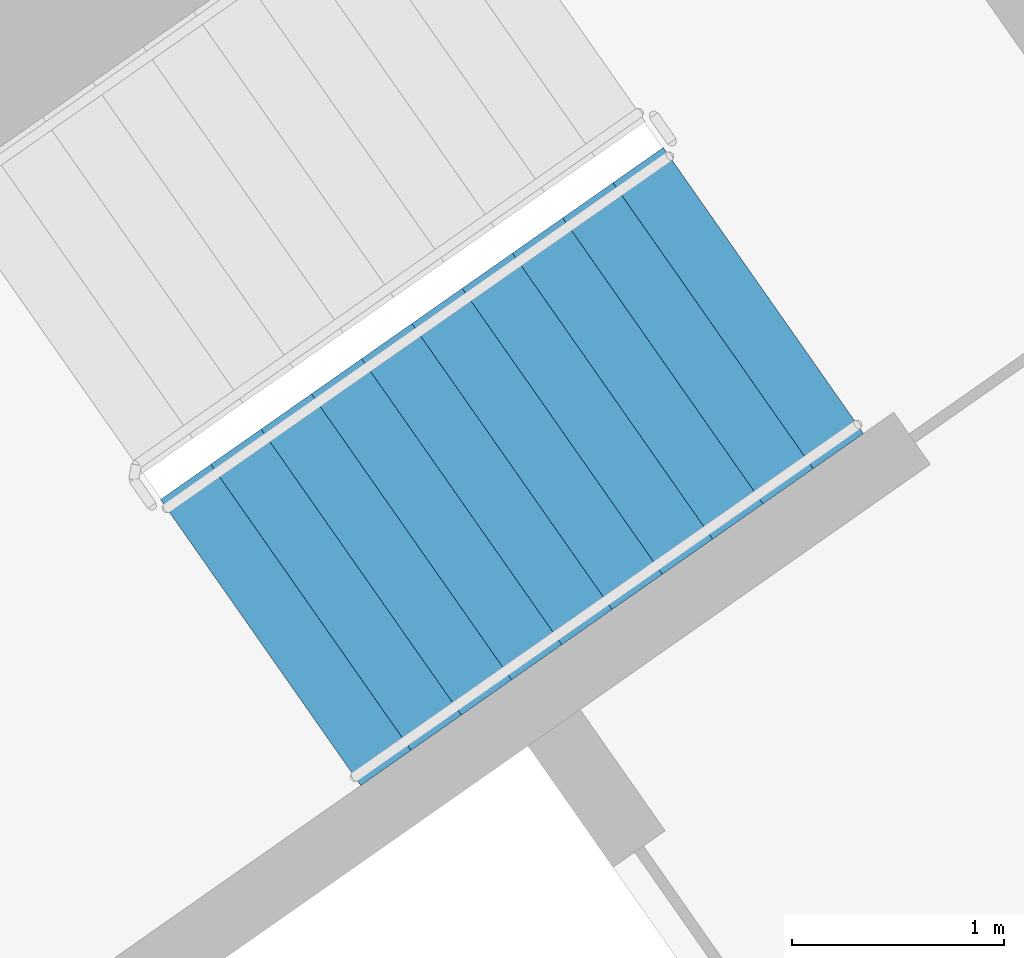
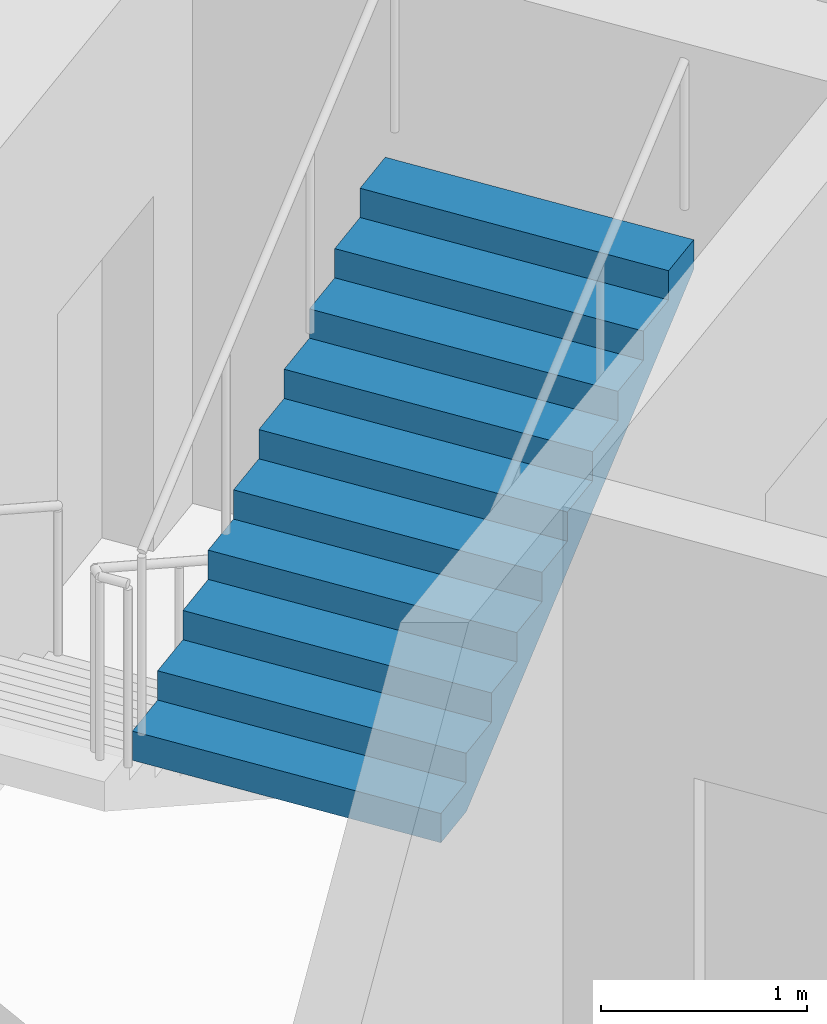
# One storey, part 16 of 28: 1 stair flight, 1 element without a shape of its own.
"""IFC4 building model written with IfcOpenShell, lengths in metres."""

from ifc_helpers import new_model, si_unit, direction, frame, origin, place, context, subcontext, project, spatial, faceted_brep, material, type_object, element, aggregate, save


model = new_model("IFC4")

# Units and contexts
model_context = context("Model", 3, precision=1e-05, world=origin(), true_north=direction((0.0, 1.0)))
body_context = subcontext(model_context, "Body", "Model", "MODEL_VIEW")
ifc_project = project(units=[si_unit("LENGTHUNIT", "METRE"), si_unit("AREAUNIT", "SQUARE_METRE"), si_unit("VOLUMEUNIT", "CUBIC_METRE"), si_unit("PLANEANGLEUNIT", "RADIAN"), si_unit("MASSUNIT", "GRAM", prefix="KILO")], contexts=[model_context])

# Site, building, storey
site_placement = place(None, origin())
site = spatial("IfcSite", under=ifc_project, at=site_placement, CompositionType="ELEMENT")
building_placement = place(site_placement, origin())
building = spatial("IfcBuilding", under=site, at=building_placement, Name="Qamariyya Broadcast Tower", CompositionType="ELEMENT")
storey_placement = place(building_placement, frame((0.0, 0.0, 218.89990234375)))
storey = spatial("IfcBuildingStorey", under=building, at=storey_placement, Name="L52", CompositionType="ELEMENT", Elevation=218.89990234375)

# Stair, stair flight
ifc_material = material(Name="Concrete C50/60", Category="concrete")
stair_type = type_object("IfcStairType", Name="Exit stair 22 risers of 173 mm", PredefinedType="HALF_TURN_STAIR", material=ifc_material)
stair_placement = place(storey_placement, origin())
stair = element("IfcStair", 1, at=stair_placement, inside=storey, type_object=stair_type, Name="L52 Stair E2", PredefinedType="HALF_TURN_STAIR")
stair_flight_type = type_object("IfcStairFlightType", Name="Exit stair flight 11 risers of 173 mm", PredefinedType="STRAIGHT", material=ifc_material)
stair_flight_placement = place(storey_placement, frame((39.215576171875, -50.822998046875, 1.900146484375), z_axis=(0.0, 0.0, 1.0), x_axis=(0.819152044289, 0.573576436351, 0.0)))
stair_flight = element("IfcStairFlight", 2, at=stair_flight_placement, type_object=stair_flight_type, Name="ST-E2 flight 2", NumberOfRisers=11, NumberOfTreads=10, PredefinedType="STRAIGHT", RiserHeight=0.172727273, TreadLength=0.29, context=body_context, shape_type="Brep", body=[
    faceted_brep([(0.0, 0.824951171875, 0.0), (0.0, 0.824951171875, 0.172607421875), (0.2900390625, 0.824951171875, 0.172607421875), (0.2900390625, 0.824951171875, 0.345458984375), (0.580078125, 0.824951171875, 0.345458984375), (0.580078125, 0.824951171875, 0.51806640625), (0.8701171875, 0.824951171875, 0.51806640625), (0.8701171875, 0.824951171875, 0.69091796875), (1.159912109375, 0.824951171875, 0.69091796875), (1.159912109375, 0.824951171875, 0.863525390625), (1.449951171875, 0.824951171875, 0.863525390625), (1.449951171875, 0.824951171875, 1.036376953125), (1.739990234375, 0.824951171875, 1.036376953125), (1.739990234375, 0.824951171875, 1.208984375), (2.030029296875, 0.824951171875, 1.208984375), (2.030029296875, 0.824951171875, 1.3818359375), (2.320068359375, 0.824951171875, 1.3818359375), (2.320068359375, 0.824951171875, 1.554443359375), (2.610107421875, 0.824951171875, 1.554443359375), (2.610107421875, 0.824951171875, 1.727294921875), (2.89990234375, 0.824951171875, 1.727294921875), (2.89990234375, 0.824951171875, 1.552734375), (0.29296875, 0.824951171875, 0.0), (0.29296875, -0.824951171875, 0.0), (2.89990234375, -0.824951171875, 1.552734375), (2.89990234375, -0.824951171875, 1.727294921875), (2.610107421875, -0.824951171875, 1.727294921875), (2.610107421875, -0.824951171875, 1.554443359375), (2.320068359375, -0.824951171875, 1.554443359375), (2.320068359375, -0.824951171875, 1.3818359375), (2.030029296875, -0.824951171875, 1.3818359375), (2.030029296875, -0.824951171875, 1.208984375), (1.739990234375, -0.824951171875, 1.208984375), (1.739990234375, -0.824951171875, 1.036376953125), (1.449951171875, -0.824951171875, 1.036376953125), (1.449951171875, -0.824951171875, 0.863525390625), (1.159912109375, -0.824951171875, 0.863525390625), (1.159912109375, -0.824951171875, 0.69091796875), (0.8701171875, -0.824951171875, 0.69091796875), (0.8701171875, -0.824951171875, 0.51806640625), (0.580078125, -0.824951171875, 0.51806640625), (0.580078125, -0.824951171875, 0.345458984375), (0.2900390625, -0.824951171875, 0.345458984375), (0.2900390625, -0.824951171875, 0.172607421875), (0.0, -0.824951171875, 0.172607421875), (0.0, -0.824951171875, 0.0), (0.0, 0.10009765625, 0.0), (0.0, 0.086669921875, 0.0), (0.0, 0.0732421875, 0.0), (0.0, 0.06005859375, 0.0), (0.0, 0.046630859375, 0.0), (0.0, 0.033447265625, 0.0), (0.0, 0.02001953125, 0.0), (0.0, 0.006591796875, 0.0), (0.0, -0.006591796875, 0.0), (0.0, -0.02001953125, 0.0), (0.0, -0.033447265625, 0.0), (0.0, -0.046630859375, 0.0), (0.0, -0.06005859375, 0.0), (0.0, -0.0732421875, 0.0), (0.0, -0.086669921875, 0.0), (0.0, -0.10009765625, 0.0), (0.0, -0.10009765625, 0.172607421875), (0.0, -0.086669921875, 0.172607421875), (0.0, -0.0732421875, 0.172607421875), (0.0, -0.06005859375, 0.172607421875), (0.0, -0.046630859375, 0.172607421875), (0.0, -0.033447265625, 0.172607421875), (0.0, -0.02001953125, 0.172607421875), (0.0, -0.006591796875, 0.172607421875), (0.0, 0.006591796875, 0.172607421875), (0.0, 0.02001953125, 0.172607421875), (0.0, 0.033447265625, 0.172607421875), (0.0, 0.046630859375, 0.172607421875), (0.0, 0.06005859375, 0.172607421875), (0.0, 0.0732421875, 0.172607421875), (0.0, 0.086669921875, 0.172607421875), (0.0, 0.10009765625, 0.172607421875), (0.2900390625, -0.10009765625, 0.172607421875), (0.2900390625, -0.086669921875, 0.172607421875), (0.2900390625, -0.0732421875, 0.172607421875), (0.2900390625, -0.06005859375, 0.172607421875), (0.2900390625, -0.046630859375, 0.172607421875), (0.2900390625, -0.033447265625, 0.172607421875), (0.2900390625, -0.02001953125, 0.172607421875), (0.2900390625, -0.006591796875, 0.172607421875), (0.2900390625, 0.006591796875, 0.172607421875), (0.2900390625, 0.02001953125, 0.172607421875), (0.2900390625, 0.033447265625, 0.172607421875), (0.2900390625, 0.046630859375, 0.172607421875), (0.2900390625, 0.06005859375, 0.172607421875), (0.2900390625, 0.0732421875, 0.172607421875), (0.2900390625, 0.086669921875, 0.172607421875), (0.2900390625, 0.10009765625, 0.172607421875), (0.2900390625, -0.10009765625, 0.345458984375), (0.2900390625, -0.086669921875, 0.345458984375), (0.2900390625, -0.0732421875, 0.345458984375), (0.2900390625, -0.06005859375, 0.345458984375), (0.2900390625, -0.046630859375, 0.345458984375), (0.2900390625, -0.033447265625, 0.345458984375), (0.2900390625, -0.02001953125, 0.345458984375), (0.2900390625, -0.006591796875, 0.345458984375), (0.2900390625, 0.006591796875, 0.345458984375), (0.2900390625, 0.02001953125, 0.345458984375), (0.2900390625, 0.033447265625, 0.345458984375), (0.2900390625, 0.046630859375, 0.345458984375), (0.2900390625, 0.06005859375, 0.345458984375), (0.2900390625, 0.0732421875, 0.345458984375), (0.2900390625, 0.086669921875, 0.345458984375), (0.2900390625, 0.10009765625, 0.345458984375), (0.580078125, -0.10009765625, 0.345458984375), (0.580078125, -0.086669921875, 0.345458984375), (0.580078125, -0.0732421875, 0.345458984375), (0.580078125, -0.06005859375, 0.345458984375), (0.580078125, -0.046630859375, 0.345458984375), (0.580078125, -0.033447265625, 0.345458984375), (0.580078125, -0.02001953125, 0.345458984375), (0.580078125, -0.006591796875, 0.345458984375), (0.580078125, 0.006591796875, 0.345458984375), (0.580078125, 0.02001953125, 0.345458984375), (0.580078125, 0.033447265625, 0.345458984375), (0.580078125, 0.046630859375, 0.345458984375), (0.580078125, 0.06005859375, 0.345458984375), (0.580078125, 0.0732421875, 0.345458984375), (0.580078125, 0.086669921875, 0.345458984375), (0.580078125, 0.10009765625, 0.345458984375), (0.580078125, -0.10009765625, 0.51806640625), (0.580078125, -0.086669921875, 0.51806640625), (0.580078125, -0.0732421875, 0.51806640625), (0.580078125, -0.06005859375, 0.51806640625), (0.580078125, -0.046630859375, 0.51806640625), (0.580078125, -0.033447265625, 0.51806640625), (0.580078125, -0.02001953125, 0.51806640625), (0.580078125, -0.006591796875, 0.51806640625), (0.580078125, 0.006591796875, 0.51806640625), (0.580078125, 0.02001953125, 0.51806640625), (0.580078125, 0.033447265625, 0.51806640625), (0.580078125, 0.046630859375, 0.51806640625), (0.580078125, 0.06005859375, 0.51806640625), (0.580078125, 0.0732421875, 0.51806640625), (0.580078125, 0.086669921875, 0.51806640625), (0.580078125, 0.10009765625, 0.51806640625), (0.8701171875, -0.10009765625, 0.51806640625), (0.8701171875, -0.086669921875, 0.51806640625), (0.8701171875, -0.0732421875, 0.51806640625), (0.8701171875, -0.06005859375, 0.51806640625), (0.8701171875, -0.046630859375, 0.51806640625), (0.8701171875, -0.033447265625, 0.51806640625), (0.8701171875, -0.02001953125, 0.51806640625), (0.8701171875, -0.006591796875, 0.51806640625), (0.8701171875, 0.006591796875, 0.51806640625), (0.8701171875, 0.02001953125, 0.51806640625), (0.8701171875, 0.033447265625, 0.51806640625), (0.8701171875, 0.046630859375, 0.51806640625), (0.8701171875, 0.06005859375, 0.51806640625), (0.8701171875, 0.0732421875, 0.51806640625), (0.8701171875, 0.086669921875, 0.51806640625), (0.8701171875, 0.10009765625, 0.51806640625), (0.8701171875, -0.10009765625, 0.69091796875), (0.8701171875, -0.086669921875, 0.69091796875), (0.8701171875, -0.0732421875, 0.69091796875), (0.8701171875, -0.06005859375, 0.69091796875), (0.8701171875, -0.046630859375, 0.69091796875), (0.8701171875, -0.033447265625, 0.69091796875), (0.8701171875, -0.02001953125, 0.69091796875), (0.8701171875, -0.006591796875, 0.69091796875), (0.8701171875, 0.006591796875, 0.69091796875), (0.8701171875, 0.02001953125, 0.69091796875), (0.8701171875, 0.033447265625, 0.69091796875), (0.8701171875, 0.046630859375, 0.69091796875), (0.8701171875, 0.06005859375, 0.69091796875), (0.8701171875, 0.0732421875, 0.69091796875), (0.8701171875, 0.086669921875, 0.69091796875), (0.8701171875, 0.10009765625, 0.69091796875), (1.159912109375, -0.10009765625, 0.69091796875), (1.159912109375, -0.086669921875, 0.69091796875), (1.159912109375, -0.0732421875, 0.69091796875), (1.159912109375, -0.06005859375, 0.69091796875), (1.159912109375, -0.046630859375, 0.69091796875), (1.159912109375, -0.033447265625, 0.69091796875), (1.159912109375, -0.02001953125, 0.69091796875), (1.159912109375, -0.006591796875, 0.69091796875), (1.159912109375, 0.006591796875, 0.69091796875), (1.159912109375, 0.02001953125, 0.69091796875), (1.159912109375, 0.033447265625, 0.69091796875), (1.159912109375, 0.046630859375, 0.69091796875), (1.159912109375, 0.06005859375, 0.69091796875), (1.159912109375, 0.0732421875, 0.69091796875), (1.159912109375, 0.086669921875, 0.69091796875), (1.159912109375, 0.10009765625, 0.69091796875), (1.159912109375, -0.10009765625, 0.863525390625), (1.159912109375, -0.086669921875, 0.863525390625), (1.159912109375, -0.0732421875, 0.863525390625), (1.159912109375, -0.06005859375, 0.863525390625), (1.159912109375, -0.046630859375, 0.863525390625), (1.159912109375, -0.033447265625, 0.863525390625), (1.159912109375, -0.02001953125, 0.863525390625), (1.159912109375, -0.006591796875, 0.863525390625), (1.159912109375, 0.006591796875, 0.863525390625), (1.159912109375, 0.02001953125, 0.863525390625), (1.159912109375, 0.033447265625, 0.863525390625), (1.159912109375, 0.046630859375, 0.863525390625), (1.159912109375, 0.06005859375, 0.863525390625), (1.159912109375, 0.0732421875, 0.863525390625), (1.159912109375, 0.086669921875, 0.863525390625), (1.159912109375, 0.10009765625, 0.863525390625), (1.449951171875, -0.10009765625, 0.863525390625), (1.449951171875, -0.086669921875, 0.863525390625), (1.449951171875, -0.0732421875, 0.863525390625), (1.449951171875, -0.06005859375, 0.863525390625), (1.449951171875, -0.046630859375, 0.863525390625), (1.449951171875, -0.033447265625, 0.863525390625), (1.449951171875, -0.02001953125, 0.863525390625), (1.449951171875, -0.006591796875, 0.863525390625), (1.449951171875, 0.006591796875, 0.863525390625), (1.449951171875, 0.02001953125, 0.863525390625), (1.449951171875, 0.033447265625, 0.863525390625), (1.449951171875, 0.046630859375, 0.863525390625), (1.449951171875, 0.06005859375, 0.863525390625), (1.449951171875, 0.0732421875, 0.863525390625), (1.449951171875, 0.086669921875, 0.863525390625), (1.449951171875, 0.10009765625, 0.863525390625), (1.449951171875, -0.10009765625, 1.036376953125), (1.449951171875, -0.086669921875, 1.036376953125), (1.449951171875, -0.0732421875, 1.036376953125), (1.449951171875, -0.06005859375, 1.036376953125), (1.449951171875, -0.046630859375, 1.036376953125), (1.449951171875, -0.033447265625, 1.036376953125), (1.449951171875, -0.02001953125, 1.036376953125), (1.449951171875, -0.006591796875, 1.036376953125), (1.449951171875, 0.006591796875, 1.036376953125), (1.449951171875, 0.02001953125, 1.036376953125), (1.449951171875, 0.033447265625, 1.036376953125), (1.449951171875, 0.046630859375, 1.036376953125), (1.449951171875, 0.06005859375, 1.036376953125), (1.449951171875, 0.0732421875, 1.036376953125), (1.449951171875, 0.086669921875, 1.036376953125), (1.449951171875, 0.10009765625, 1.036376953125), (1.739990234375, -0.10009765625, 1.036376953125), (1.739990234375, -0.086669921875, 1.036376953125), (1.739990234375, -0.0732421875, 1.036376953125), (1.739990234375, -0.06005859375, 1.036376953125), (1.739990234375, -0.046630859375, 1.036376953125), (1.739990234375, -0.033447265625, 1.036376953125), (1.739990234375, -0.02001953125, 1.036376953125), (1.739990234375, -0.006591796875, 1.036376953125), (1.739990234375, 0.006591796875, 1.036376953125), (1.739990234375, 0.02001953125, 1.036376953125), (1.739990234375, 0.033447265625, 1.036376953125), (1.739990234375, 0.046630859375, 1.036376953125), (1.739990234375, 0.06005859375, 1.036376953125), (1.739990234375, 0.0732421875, 1.036376953125), (1.739990234375, 0.086669921875, 1.036376953125), (1.739990234375, 0.10009765625, 1.036376953125), (1.739990234375, -0.10009765625, 1.208984375), (1.739990234375, -0.086669921875, 1.208984375), (1.739990234375, -0.0732421875, 1.208984375), (1.739990234375, -0.06005859375, 1.208984375), (1.739990234375, -0.046630859375, 1.208984375), (1.739990234375, -0.033447265625, 1.208984375), (1.739990234375, -0.02001953125, 1.208984375), (1.739990234375, -0.006591796875, 1.208984375), (1.739990234375, 0.006591796875, 1.208984375), (1.739990234375, 0.02001953125, 1.208984375), (1.739990234375, 0.033447265625, 1.208984375), (1.739990234375, 0.046630859375, 1.208984375), (1.739990234375, 0.06005859375, 1.208984375), (1.739990234375, 0.0732421875, 1.208984375), (1.739990234375, 0.086669921875, 1.208984375), (1.739990234375, 0.10009765625, 1.208984375), (2.030029296875, -0.10009765625, 1.208984375), (2.030029296875, -0.086669921875, 1.208984375), (2.030029296875, -0.0732421875, 1.208984375), (2.030029296875, -0.06005859375, 1.208984375), (2.030029296875, -0.046630859375, 1.208984375), (2.030029296875, -0.033447265625, 1.208984375), (2.030029296875, -0.02001953125, 1.208984375), (2.030029296875, -0.006591796875, 1.208984375), (2.030029296875, 0.006591796875, 1.208984375), (2.030029296875, 0.02001953125, 1.208984375), (2.030029296875, 0.033447265625, 1.208984375), (2.030029296875, 0.046630859375, 1.208984375), (2.030029296875, 0.06005859375, 1.208984375), (2.030029296875, 0.0732421875, 1.208984375), (2.030029296875, 0.086669921875, 1.208984375), (2.030029296875, 0.10009765625, 1.208984375), (2.030029296875, -0.10009765625, 1.3818359375), (2.030029296875, -0.086669921875, 1.3818359375), (2.030029296875, -0.0732421875, 1.3818359375), (2.030029296875, -0.06005859375, 1.3818359375), (2.030029296875, -0.046630859375, 1.3818359375), (2.030029296875, -0.033447265625, 1.3818359375), (2.030029296875, -0.02001953125, 1.3818359375), (2.030029296875, -0.006591796875, 1.3818359375), (2.030029296875, 0.006591796875, 1.3818359375), (2.030029296875, 0.02001953125, 1.3818359375), (2.030029296875, 0.033447265625, 1.3818359375), (2.030029296875, 0.046630859375, 1.3818359375), (2.030029296875, 0.06005859375, 1.3818359375), (2.030029296875, 0.0732421875, 1.3818359375), (2.030029296875, 0.086669921875, 1.3818359375), (2.030029296875, 0.10009765625, 1.3818359375), (2.320068359375, -0.10009765625, 1.3818359375), (2.320068359375, -0.086669921875, 1.3818359375), (2.320068359375, -0.0732421875, 1.3818359375), (2.320068359375, -0.06005859375, 1.3818359375), (2.320068359375, -0.046630859375, 1.3818359375), (2.320068359375, -0.033447265625, 1.3818359375), (2.320068359375, -0.02001953125, 1.3818359375), (2.320068359375, -0.006591796875, 1.3818359375), (2.320068359375, 0.006591796875, 1.3818359375), (2.320068359375, 0.02001953125, 1.3818359375), (2.320068359375, 0.033447265625, 1.3818359375), (2.320068359375, 0.046630859375, 1.3818359375), (2.320068359375, 0.06005859375, 1.3818359375), (2.320068359375, 0.0732421875, 1.3818359375), (2.320068359375, 0.086669921875, 1.3818359375), (2.320068359375, 0.10009765625, 1.3818359375), (2.320068359375, -0.10009765625, 1.554443359375), (2.320068359375, -0.086669921875, 1.554443359375), (2.320068359375, -0.0732421875, 1.554443359375), (2.320068359375, -0.06005859375, 1.554443359375), (2.320068359375, -0.046630859375, 1.554443359375), (2.320068359375, -0.033447265625, 1.554443359375), (2.320068359375, -0.02001953125, 1.554443359375), (2.320068359375, -0.006591796875, 1.554443359375), (2.320068359375, 0.006591796875, 1.554443359375), (2.320068359375, 0.02001953125, 1.554443359375), (2.320068359375, 0.033447265625, 1.554443359375), (2.320068359375, 0.046630859375, 1.554443359375), (2.320068359375, 0.06005859375, 1.554443359375), (2.320068359375, 0.0732421875, 1.554443359375), (2.320068359375, 0.086669921875, 1.554443359375), (2.320068359375, 0.10009765625, 1.554443359375), (2.610107421875, -0.10009765625, 1.554443359375), (2.610107421875, -0.086669921875, 1.554443359375), (2.610107421875, -0.0732421875, 1.554443359375), (2.610107421875, -0.06005859375, 1.554443359375), (2.610107421875, -0.046630859375, 1.554443359375), (2.610107421875, -0.033447265625, 1.554443359375), (2.610107421875, -0.02001953125, 1.554443359375), (2.610107421875, -0.006591796875, 1.554443359375), (2.610107421875, 0.006591796875, 1.554443359375), (2.610107421875, 0.02001953125, 1.554443359375), (2.610107421875, 0.033447265625, 1.554443359375), (2.610107421875, 0.046630859375, 1.554443359375), (2.610107421875, 0.06005859375, 1.554443359375), (2.610107421875, 0.0732421875, 1.554443359375), (2.610107421875, 0.086669921875, 1.554443359375), (2.610107421875, 0.10009765625, 1.554443359375), (2.610107421875, -0.10009765625, 1.727294921875), (2.610107421875, -0.086669921875, 1.727294921875), (2.610107421875, -0.0732421875, 1.727294921875), (2.610107421875, -0.06005859375, 1.727294921875), (2.610107421875, -0.046630859375, 1.727294921875), (2.610107421875, -0.033447265625, 1.727294921875), (2.610107421875, -0.02001953125, 1.727294921875), (2.610107421875, -0.006591796875, 1.727294921875), (2.610107421875, 0.006591796875, 1.727294921875), (2.610107421875, 0.02001953125, 1.727294921875), (2.610107421875, 0.033447265625, 1.727294921875), (2.610107421875, 0.046630859375, 1.727294921875), (2.610107421875, 0.06005859375, 1.727294921875), (2.610107421875, 0.0732421875, 1.727294921875), (2.610107421875, 0.086669921875, 1.727294921875), (2.610107421875, 0.10009765625, 1.727294921875), (2.89990234375, -0.10009765625, 1.727294921875), (2.89990234375, -0.086669921875, 1.727294921875), (2.89990234375, -0.0732421875, 1.727294921875), (2.89990234375, -0.06005859375, 1.727294921875), (2.89990234375, -0.046630859375, 1.727294921875), (2.89990234375, -0.033447265625, 1.727294921875), (2.89990234375, -0.02001953125, 1.727294921875), (2.89990234375, -0.006591796875, 1.727294921875), (2.89990234375, 0.006591796875, 1.727294921875), (2.89990234375, 0.02001953125, 1.727294921875), (2.89990234375, 0.033447265625, 1.727294921875), (2.89990234375, 0.046630859375, 1.727294921875), (2.89990234375, 0.06005859375, 1.727294921875), (2.89990234375, 0.0732421875, 1.727294921875), (2.89990234375, 0.086669921875, 1.727294921875), (2.89990234375, 0.10009765625, 1.727294921875), (2.89990234375, -0.10009765625, 1.552734375), (2.89990234375, -0.086669921875, 1.552734375), (2.89990234375, -0.0732421875, 1.552734375), (2.89990234375, -0.06005859375, 1.552734375), (2.89990234375, -0.046630859375, 1.552734375), (2.89990234375, -0.033447265625, 1.552734375), (2.89990234375, -0.02001953125, 1.552734375), (2.89990234375, -0.006591796875, 1.552734375), (2.89990234375, 0.006591796875, 1.552734375), (2.89990234375, 0.02001953125, 1.552734375), (2.89990234375, 0.033447265625, 1.552734375), (2.89990234375, 0.046630859375, 1.552734375), (2.89990234375, 0.06005859375, 1.552734375), (2.89990234375, 0.0732421875, 1.552734375), (2.89990234375, 0.086669921875, 1.552734375), (2.89990234375, 0.10009765625, 1.552734375), (0.29296875, -0.10009765625, 0.0), (0.29296875, -0.086669921875, 0.0), (0.29296875, -0.0732421875, 0.0), (0.29296875, -0.06005859375, 0.0), (0.29296875, -0.046630859375, 0.0), (0.29296875, -0.033447265625, 0.0), (0.29296875, -0.02001953125, 0.0), (0.29296875, -0.006591796875, 0.0), (0.29296875, 0.006591796875, 0.0), (0.29296875, 0.02001953125, 0.0), (0.29296875, 0.033447265625, 0.0), (0.29296875, 0.046630859375, 0.0), (0.29296875, 0.06005859375, 0.0), (0.29296875, 0.0732421875, 0.0), (0.29296875, 0.086669921875, 0.0), (0.29296875, 0.10009765625, 0.0)], [[[0, 1, 2, 3, 4, 5, 6, 7, 8, 9, 10, 11, 12, 13, 14, 15, 16, 17, 18, 19, 20, 21, 22]], [[23, 24, 25, 26, 27, 28, 29, 30, 31, 32, 33, 34, 35, 36, 37, 38, 39, 40, 41, 42, 43, 44, 45]], [[0, 46, 47, 48, 49, 50, 51, 52, 53, 54, 55, 56, 57, 58, 59, 60, 61, 45, 44, 62, 63, 64, 65, 66, 67, 68, 69, 70, 71, 72, 73, 74, 75, 76, 77, 1]], [[1, 77, 76, 75, 74, 73, 72, 71, 70, 69, 68, 67, 66, 65, 64, 63, 62, 44, 43, 78, 79, 80, 81, 82, 83, 84, 85, 86, 87, 88, 89, 90, 91, 92, 93, 2]], [[2, 93, 92, 91, 90, 89, 88, 87, 86, 85, 84, 83, 82, 81, 80, 79, 78, 43, 42, 94, 95, 96, 97, 98, 99, 100, 101, 102, 103, 104, 105, 106, 107, 108, 109, 3]], [[3, 109, 108, 107, 106, 105, 104, 103, 102, 101, 100, 99, 98, 97, 96, 95, 94, 42, 41, 110, 111, 112, 113, 114, 115, 116, 117, 118, 119, 120, 121, 122, 123, 124, 125, 4]], [[4, 125, 124, 123, 122, 121, 120, 119, 118, 117, 116, 115, 114, 113, 112, 111, 110, 41, 40, 126, 127, 128, 129, 130, 131, 132, 133, 134, 135, 136, 137, 138, 139, 140, 141, 5]], [[5, 141, 140, 139, 138, 137, 136, 135, 134, 133, 132, 131, 130, 129, 128, 127, 126, 40, 39, 142, 143, 144, 145, 146, 147, 148, 149, 150, 151, 152, 153, 154, 155, 156, 157, 6]], [[6, 157, 156, 155, 154, 153, 152, 151, 150, 149, 148, 147, 146, 145, 144, 143, 142, 39, 38, 158, 159, 160, 161, 162, 163, 164, 165, 166, 167, 168, 169, 170, 171, 172, 173, 7]], [[7, 173, 172, 171, 170, 169, 168, 167, 166, 165, 164, 163, 162, 161, 160, 159, 158, 38, 37, 174, 175, 176, 177, 178, 179, 180, 181, 182, 183, 184, 185, 186, 187, 188, 189, 8]], [[8, 189, 188, 187, 186, 185, 184, 183, 182, 181, 180, 179, 178, 177, 176, 175, 174, 37, 36, 190, 191, 192, 193, 194, 195, 196, 197, 198, 199, 200, 201, 202, 203, 204, 205, 9]], [[9, 205, 204, 203, 202, 201, 200, 199, 198, 197, 196, 195, 194, 193, 192, 191, 190, 36, 35, 206, 207, 208, 209, 210, 211, 212, 213, 214, 215, 216, 217, 218, 219, 220, 221, 10]], [[10, 221, 220, 219, 218, 217, 216, 215, 214, 213, 212, 211, 210, 209, 208, 207, 206, 35, 34, 222, 223, 224, 225, 226, 227, 228, 229, 230, 231, 232, 233, 234, 235, 236, 237, 11]], [[11, 237, 236, 235, 234, 233, 232, 231, 230, 229, 228, 227, 226, 225, 224, 223, 222, 34, 33, 238, 239, 240, 241, 242, 243, 244, 245, 246, 247, 248, 249, 250, 251, 252, 253, 12]], [[12, 253, 252, 251, 250, 249, 248, 247, 246, 245, 244, 243, 242, 241, 240, 239, 238, 33, 32, 254, 255, 256, 257, 258, 259, 260, 261, 262, 263, 264, 265, 266, 267, 268, 269, 13]], [[13, 269, 268, 267, 266, 265, 264, 263, 262, 261, 260, 259, 258, 257, 256, 255, 254, 32, 31, 270, 271, 272, 273, 274, 275, 276, 277, 278, 279, 280, 281, 282, 283, 284, 285, 14]], [[14, 285, 284, 283, 282, 281, 280, 279, 278, 277, 276, 275, 274, 273, 272, 271, 270, 31, 30, 286, 287, 288, 289, 290, 291, 292, 293, 294, 295, 296, 297, 298, 299, 300, 301, 15]], [[15, 301, 300, 299, 298, 297, 296, 295, 294, 293, 292, 291, 290, 289, 288, 287, 286, 30, 29, 302, 303, 304, 305, 306, 307, 308, 309, 310, 311, 312, 313, 314, 315, 316, 317, 16]], [[16, 317, 316, 315, 314, 313, 312, 311, 310, 309, 308, 307, 306, 305, 304, 303, 302, 29, 28, 318, 319, 320, 321, 322, 323, 324, 325, 326, 327, 328, 329, 330, 331, 332, 333, 17]], [[17, 333, 332, 331, 330, 329, 328, 327, 326, 325, 324, 323, 322, 321, 320, 319, 318, 28, 27, 334, 335, 336, 337, 338, 339, 340, 341, 342, 343, 344, 345, 346, 347, 348, 349, 18]], [[18, 349, 348, 347, 346, 345, 344, 343, 342, 341, 340, 339, 338, 337, 336, 335, 334, 27, 26, 350, 351, 352, 353, 354, 355, 356, 357, 358, 359, 360, 361, 362, 363, 364, 365, 19]], [[19, 365, 364, 363, 362, 361, 360, 359, 358, 357, 356, 355, 354, 353, 352, 351, 350, 26, 25, 366, 367, 368, 369, 370, 371, 372, 373, 374, 375, 376, 377, 378, 379, 380, 381, 20]], [[20, 381, 380, 379, 378, 377, 376, 375, 374, 373, 372, 371, 370, 369, 368, 367, 366, 25, 24, 382, 383, 384, 385, 386, 387, 388, 389, 390, 391, 392, 393, 394, 395, 396, 397, 21]], [[21, 397, 396, 395, 394, 393, 392, 391, 390, 389, 388, 387, 386, 385, 384, 383, 382, 24, 23, 398, 399, 400, 401, 402, 403, 404, 405, 406, 407, 408, 409, 410, 411, 412, 413, 22]], [[22, 413, 412, 411, 410, 409, 408, 407, 406, 405, 404, 403, 402, 401, 400, 399, 398, 23, 45, 61, 60, 59, 58, 57, 56, 55, 54, 53, 52, 51, 50, 49, 48, 47, 46, 0]]]),
])
aggregate(stair, [stair_flight])

save(model, "model.ifc")
